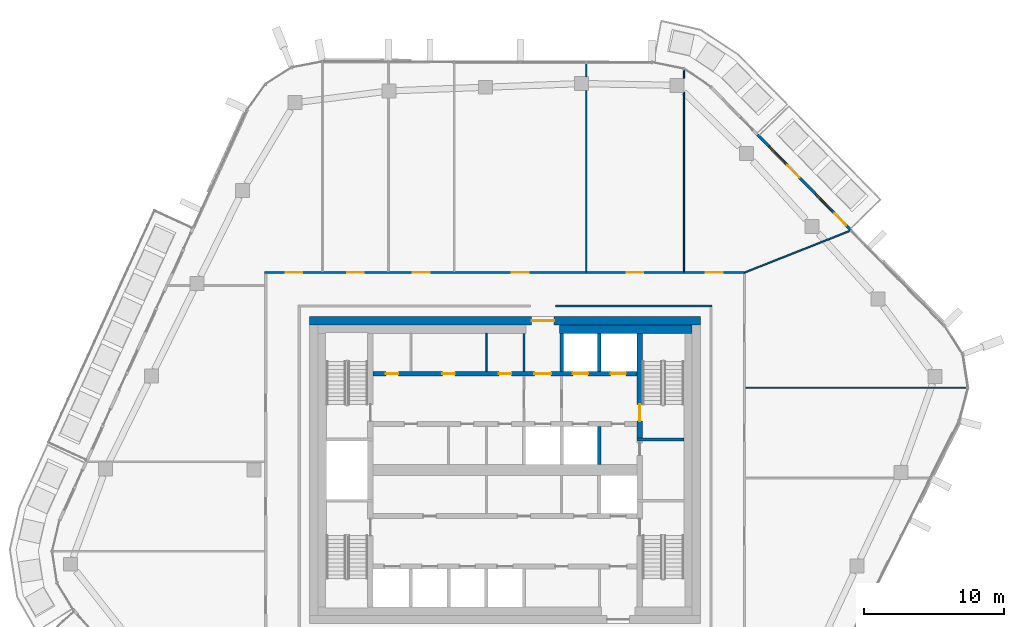
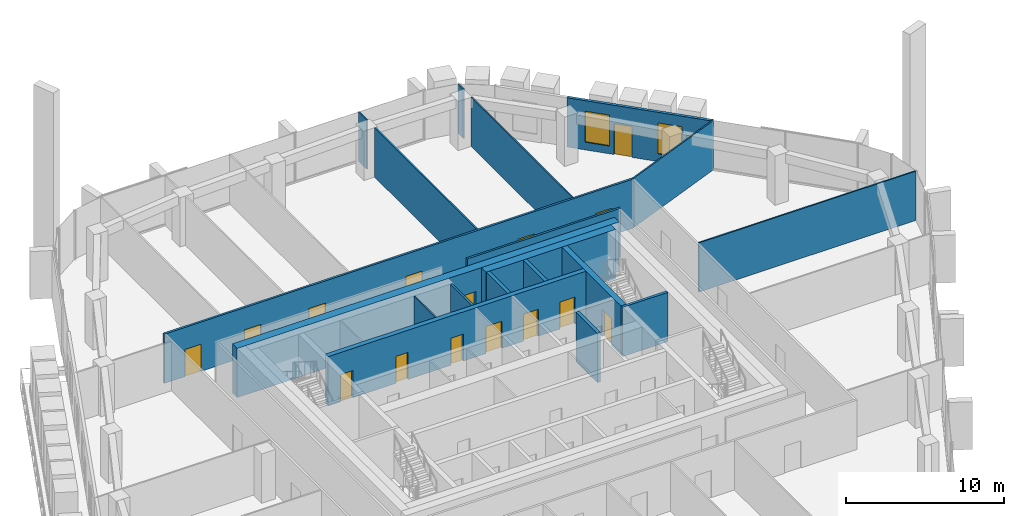
# One storey, part 16 of 24: 19 walls, 16 doors, 2 windows, 18 openings.
"""IFC4 building model written with IfcOpenShell, lengths in metres."""

from ifc_helpers import new_model, si_unit, direction, frame, frame_2d, origin, place, context, subcontext, project, spatial, rectangle, extrude, material, layer, layer_set, type_object, element, fill, save


model = new_model("IFC4")

# Units and contexts
model_context = context("Model", 3, precision=1e-05, world=origin(), true_north=direction((0.0, 1.0)))
body_context = subcontext(model_context, "Body", "Model", "MODEL_VIEW")
ifc_project = project(units=[si_unit("LENGTHUNIT", "METRE"), si_unit("AREAUNIT", "SQUARE_METRE"), si_unit("VOLUMEUNIT", "CUBIC_METRE"), si_unit("PLANEANGLEUNIT", "RADIAN"), si_unit("MASSUNIT", "GRAM", prefix="KILO")], contexts=[model_context])

# Site, building, storey
site_placement = place(None, origin())
site = spatial("IfcSite", under=ifc_project, at=site_placement, CompositionType="ELEMENT")
building_placement = place(site_placement, origin())
building = spatial("IfcBuilding", under=site, at=building_placement, Name="Dongbaek Canopy Tower", CompositionType="ELEMENT")
storey_placement = place(building_placement, frame((0.0, 0.0, 306.800048828125)))
storey = spatial("IfcBuildingStorey", under=building, at=storey_placement, Name="L65", CompositionType="ELEMENT", Elevation=306.800048828125)

# Wall, openings, doors
ifc_material_1 = material(Name="Concrete C60/75", Category="concrete")
ifc_layer_1 = layer(ifc_material_1, 0.35009765625)
ifc_layer_set_1 = layer_set([ifc_layer_1], Name="Core lobby wall 350 Concrete C60/75")
wall_type_1 = type_object("IfcWallType", Name="Core lobby wall 350 Concrete C60/75", PredefinedType="SHEAR", material=ifc_layer_set_1)
wall_1_placement = place(storey_placement, frame((-9.449951171875, 6.89990234375, 0.0), z_axis=(0.0, 0.0, 1.0), x_axis=(1.0, 0.0, 0.0)))
wall_1 = element("IfcWall", 1, at=wall_1_placement, inside=storey, type_object=wall_type_1, Name="Core wall", PredefinedType="SHEAR", context=body_context, shape_type="SweptSolid", body=[
    extrude(rectangle(XDim=18.89990234375, YDim=0.35009765625, at=frame_2d((9.449951171875, 0.0))), origin(), (0.0, 0.0, 1.0), 3.820068359375),
])
opening_1_placement = place(wall_1_placement, frame((11.550048828125, 0.0, 0.0)))
opening_1 = element("IfcOpeningElement", 2, at=opening_1_placement, cuts=wall_1, Name="Opening L65-D021", PredefinedType="OPENING", context=body_context, shape_type="SweptSolid", body=[
    extrude(rectangle(XDim=1.199951171875, YDim=2.10009765625, at=frame_2d((0.60009765625, 1.050048828125))), frame((0.0, 0.18505859375, 0.0), z_axis=(0.0, -1.0, 0.0), x_axis=(1.0, 0.0, 0.0)), (0.0, 0.0, 1.0), 0.3701171875),
])
opening_2_placement = place(wall_1_placement, frame((14.300048828125, 0.0, 0.0)))
opening_2 = element("IfcOpeningElement", 3, at=opening_2_placement, cuts=wall_1, Name="Opening L65-D022", PredefinedType="OPENING", context=body_context, shape_type="SweptSolid", body=[
    extrude(rectangle(XDim=1.10009765625, YDim=2.10009765625, at=frame_2d((0.550048828125, 1.050048828125))), frame((0.0, 0.18505859375, 0.0), z_axis=(0.0, -1.0, 0.0), x_axis=(1.0, 0.0, 0.0)), (0.0, 0.0, 1.0), 0.3701171875),
])
opening_3_placement = place(wall_1_placement, frame((17.0, 0.0, 0.0)))
opening_3 = element("IfcOpeningElement", 4, at=opening_3_placement, cuts=wall_1, Name="Opening L65-D023", PredefinedType="OPENING", context=body_context, shape_type="SweptSolid", body=[
    extrude(rectangle(XDim=1.10009765625, YDim=2.10009765625, at=frame_2d((0.550048828125, 1.050048828125))), frame((0.0, 0.18505859375, 0.0), z_axis=(0.0, -1.0, 0.0), x_axis=(1.0, 0.0, 0.0)), (0.0, 0.0, 1.0), 0.3701171875),
])
opening_4_placement = place(wall_1_placement, frame((0.89990234375, 0.0, 0.0)))
opening_4 = element("IfcOpeningElement", 5, at=opening_4_placement, cuts=wall_1, Name="Opening L65-D034", PredefinedType="OPENING", context=body_context, shape_type="SweptSolid", body=[
    extrude(rectangle(XDim=0.89990234375, YDim=2.10009765625, at=frame_2d((0.449951171875, 1.050048828125))), frame((0.0, 0.18505859375, 0.0), z_axis=(0.0, -1.0, 0.0), x_axis=(1.0, 0.0, 0.0)), (0.0, 0.0, 1.0), 0.3701171875),
])
opening_5_placement = place(wall_1_placement, frame((4.949951171875, 0.0, 0.0)))
opening_5 = element("IfcOpeningElement", 6, at=opening_5_placement, cuts=wall_1, Name="Opening L65-D035", PredefinedType="OPENING", context=body_context, shape_type="SweptSolid", body=[
    extrude(rectangle(XDim=0.89990234375, YDim=2.10009765625, at=frame_2d((0.449951171875, 1.050048828125))), frame((0.0, 0.18505859375, 0.0), z_axis=(0.0, -1.0, 0.0), x_axis=(1.0, 0.0, 0.0)), (0.0, 0.0, 1.0), 0.3701171875),
])
opening_6_placement = place(wall_1_placement, frame((9.0, 0.0, 0.0)))
opening_6 = element("IfcOpeningElement", 7, at=opening_6_placement, cuts=wall_1, Name="Opening L65-D036", PredefinedType="OPENING", context=body_context, shape_type="SweptSolid", body=[
    extrude(rectangle(XDim=0.89990234375, YDim=2.10009765625, at=frame_2d((0.449951171875, 1.050048828125))), frame((0.0, 0.18505859375, 0.0), z_axis=(0.0, -1.0, 0.0), x_axis=(1.0, 0.0, 0.0)), (0.0, 0.0, 1.0), 0.3701171875),
])
ifc_material_2 = material(Name="Steel", Category="steel")
door_type_1 = type_object("IfcDoorType", Name="Core room door 900 x 2100", OperationType="SINGLE_SWING_LEFT", PredefinedType="DOOR", material=ifc_material_2)
door_1_placement = place(opening_4_placement, origin())
door_1 = element("IfcDoor", 8, at=door_1_placement, inside=storey, type_object=door_type_1, Name="Door L65-D034", OperationType="SINGLE_SWING_RIGHT", OverallHeight=2.10009765625, OverallWidth=0.89990234375, PredefinedType="DOOR", context=body_context, shape_type="SweptSolid", body=[
    extrude(rectangle(XDim=0.89990234375, YDim=2.10009765625, at=frame_2d((0.449951171875, 1.050048828125))), frame((0.0, 0.02490234375, 0.0), z_axis=(0.0, -1.0, 0.0), x_axis=(1.0, 0.0, 0.0)), (0.0, 0.0, 1.0), 0.050048828125),
])
fill(opening_4, door_1)
door_2_placement = place(opening_5_placement, origin())
door_2 = element("IfcDoor", 9, at=door_2_placement, inside=storey, type_object=door_type_1, Name="Door L65-D035", OperationType="SINGLE_SWING_LEFT", OverallHeight=2.10009765625, OverallWidth=0.89990234375, PredefinedType="DOOR", context=body_context, shape_type="SweptSolid", body=[
    extrude(rectangle(XDim=0.89990234375, YDim=2.10009765625, at=frame_2d((0.449951171875, 1.050048828125))), frame((0.0, 0.02490234375, 0.0), z_axis=(0.0, -1.0, 0.0), x_axis=(1.0, 0.0, 0.0)), (0.0, 0.0, 1.0), 0.050048828125),
])
fill(opening_5, door_2)
door_3_placement = place(opening_6_placement, origin())
door_3 = element("IfcDoor", 10, at=door_3_placement, inside=storey, type_object=door_type_1, Name="Door L65-D036", OperationType="SINGLE_SWING_RIGHT", OverallHeight=2.10009765625, OverallWidth=0.89990234375, PredefinedType="DOOR", context=body_context, shape_type="SweptSolid", body=[
    extrude(rectangle(XDim=0.89990234375, YDim=2.10009765625, at=frame_2d((0.449951171875, 1.050048828125))), frame((0.0, 0.02490234375, 0.0), z_axis=(0.0, -1.0, 0.0), x_axis=(1.0, 0.0, 0.0)), (0.0, 0.0, 1.0), 0.050048828125),
])
fill(opening_6, door_3)
ifc_material_3 = material(Name="Steel", Category="steel")
door_type_2 = type_object("IfcDoorType", Name="Fire lobby door 1200 x 2100", OperationType="SINGLE_SWING_LEFT", PredefinedType="DOOR", material=ifc_material_3)
door_4_placement = place(opening_1_placement, origin())
door_4 = element("IfcDoor", 11, at=door_4_placement, inside=storey, type_object=door_type_2, Name="Door L65-D021", OperationType="SINGLE_SWING_LEFT", OverallHeight=2.10009765625, OverallWidth=1.199951171875, PredefinedType="DOOR", context=body_context, shape_type="SweptSolid", body=[
    extrude(rectangle(XDim=1.199951171875, YDim=2.10009765625, at=frame_2d((0.60009765625, 1.050048828125))), frame((0.0, 0.02490234375, 0.0), z_axis=(0.0, -1.0, 0.0), x_axis=(1.0, 0.0, 0.0)), (0.0, 0.0, 1.0), 0.050048828125),
])
fill(opening_1, door_4)
ifc_material_4 = material(Name="Stainless steel", Category="steel")
door_type_3 = type_object("IfcDoorType", Name="Lift landing door 1100 x 2100", OperationType="DOUBLE_DOOR_SLIDING", PredefinedType="DOOR", material=ifc_material_4)
door_5_placement = place(opening_2_placement, origin())
door_5 = element("IfcDoor", 12, at=door_5_placement, inside=storey, type_object=door_type_3, Name="Landing door FF1", OperationType="DOUBLE_DOOR_SLIDING", OverallHeight=2.10009765625, OverallWidth=1.10009765625, PredefinedType="DOOR", context=body_context, shape_type="SweptSolid", body=[
    extrude(rectangle(XDim=1.10009765625, YDim=2.10009765625, at=frame_2d((0.550048828125, 1.050048828125))), frame((0.0, 0.02490234375, 0.0), z_axis=(0.0, -1.0, 0.0), x_axis=(1.0, 0.0, 0.0)), (0.0, 0.0, 1.0), 0.050048828125),
])
fill(opening_2, door_5)
door_6_placement = place(opening_3_placement, origin())
door_6 = element("IfcDoor", 13, at=door_6_placement, inside=storey, type_object=door_type_3, Name="Landing door FF2", OperationType="DOUBLE_DOOR_SLIDING", OverallHeight=2.10009765625, OverallWidth=1.10009765625, PredefinedType="DOOR", context=body_context, shape_type="SweptSolid", body=[
    extrude(rectangle(XDim=1.10009765625, YDim=2.10009765625, at=frame_2d((0.550048828125, 1.050048828125))), frame((0.0, 0.02490234375, 0.0), z_axis=(0.0, -1.0, 0.0), x_axis=(1.0, 0.0, 0.0)), (0.0, 0.0, 1.0), 0.050048828125),
])
fill(opening_3, door_6)

# Wall, opening, door
ifc_material_5 = material(Name="Concrete C80/95", Category="concrete")
ifc_layer_2 = layer(ifc_material_5, 0.60009765625)
ifc_layer_set_2 = layer_set([ifc_layer_2], Name="Core outer wall 600 Concrete C80/95")
wall_type_2 = type_object("IfcWallType", Name="Core outer wall 600 Concrete C80/95", PredefinedType="SHEAR", material=ifc_layer_set_2)
wall_2_placement = place(storey_placement, frame((-14.0, 10.699951171875, 0.0), z_axis=(0.0, 0.0, 1.0), x_axis=(1.0, 0.0, 0.0)))
wall_2 = element("IfcWall", 14, at=wall_2_placement, inside=storey, type_object=wall_type_2, Name="Core wall", PredefinedType="SHEAR", context=body_context, shape_type="SweptSolid", body=[
    extrude(rectangle(XDim=28.0, YDim=0.60009765625, at=frame_2d((14.0, 0.0))), origin(), (0.0, 0.0, 1.0), 3.820068359375),
])
opening_7_placement = place(wall_2_placement, frame((15.89990234375, 0.0, 0.0)))
opening_7 = element("IfcOpeningElement", 15, at=opening_7_placement, cuts=wall_2, Name="Opening L65-D020", PredefinedType="OPENING", context=body_context, shape_type="SweptSolid", body=[
    extrude(rectangle(XDim=1.60009765625, YDim=2.10009765625, at=frame_2d((0.800048828125, 1.050048828125))), frame((0.0, 0.31005859375, 0.0), z_axis=(0.0, -1.0, 0.0), x_axis=(1.0, 0.0, 0.0)), (0.0, 0.0, 1.0), 0.6201171875),
])
ifc_material_6 = material(Name="Steel", Category="steel")
door_type_4 = type_object("IfcDoorType", Name="Core exit door 1600 x 2100", OperationType="DOUBLE_DOOR_SINGLE_SWING", PredefinedType="DOOR", material=ifc_material_6)
door_7_placement = place(opening_7_placement, origin())
door_7 = element("IfcDoor", 16, at=door_7_placement, inside=storey, type_object=door_type_4, Name="Core exit door", OperationType="DOUBLE_DOOR_SINGLE_SWING", OverallHeight=2.10009765625, OverallWidth=1.60009765625, PredefinedType="DOOR", context=body_context, shape_type="SweptSolid", body=[
    extrude(rectangle(XDim=1.60009765625, YDim=2.10009765625, at=frame_2d((0.800048828125, 1.050048828125))), frame((0.0, 0.02490234375, 0.0), z_axis=(0.0, -1.0, 0.0), x_axis=(1.0, 0.0, 0.0)), (0.0, 0.0, 1.0), 0.050048828125),
])
fill(opening_7, door_7)

# Walls
ifc_material_7 = material(Name="Concrete C60/75", Category="concrete")
ifc_layer_3 = layer(ifc_material_7, 0.60009765625)
ifc_layer_set_3 = layer_set([ifc_layer_3], Name="Core wall lining 600 Concrete C60/75")
wall_type_3 = type_object("IfcWallType", Name="Core wall lining 600 Concrete C60/75", PredefinedType="SHEAR", material=ifc_layer_set_3)
wall_3_placement = place(storey_placement, frame((3.89990234375, 10.10009765625, 0.0), z_axis=(0.0, 0.0, 1.0), x_axis=(1.0, 0.0, 0.0)))
element("IfcWall", 17, at=wall_3_placement, inside=storey, type_object=wall_type_3, Name="Core wall lining", PredefinedType="SHEAR", context=body_context, shape_type="SweptSolid", body=[
    extrude(rectangle(XDim=9.5, YDim=0.60009765625, at=frame_2d((4.75, 0.0))), origin(), (0.0, 0.0, 1.0), 3.820068359375),
])
ifc_material_8 = material(Name="Gypsum board partition, steel stud, 2 x 15 mm fire board", Category="steel")
ifc_layer_4 = layer(ifc_material_8, 0.14990234375)
ifc_layer_set_4 = layer_set([ifc_layer_4], Name="Fire-rated partition 150 gypsum board")
wall_type_4 = type_object("IfcWallType", Name="Fire-rated partition 150 gypsum board", PredefinedType="PARTITIONING", material=ifc_layer_set_4)
wall_4_placement = place(storey_placement, frame((3.60009765625, 11.75, 0.0), z_axis=(0.0, 0.0, 1.0), x_axis=(1.0, 0.0, 0.0)))
element("IfcWall", 18, at=wall_4_placement, inside=storey, type_object=wall_type_4, Name="Corridor partition", PredefinedType="PARTITIONING", context=body_context, shape_type="SweptSolid", body=[
    extrude(rectangle(XDim=11.224853515625, YDim=0.14990234375, at=frame_2d((5.6123046875, 0.0))), origin(), (0.0, 0.0, 1.0), 3.820068359375),
])

# Wall, openings, doors
wall_5_placement = place(storey_placement, frame((-17.22509765625, 14.14990234375, 0.0), z_axis=(0.0, 0.0, 1.0), x_axis=(1.0, 0.0, 0.0)))
wall_5 = element("IfcWall", 19, at=wall_5_placement, inside=storey, type_object=wall_type_4, Name="Corridor partition", PredefinedType="PARTITIONING", context=body_context, shape_type="SweptSolid", body=[
    extrude(rectangle(XDim=34.4501953125, YDim=0.14990234375, at=frame_2d((17.22509765625, 0.0))), origin(), (0.0, 0.0, 1.0), 3.820068359375),
])
opening_8_placement = place(wall_5_placement, frame((31.60693359375, 0.0, 0.0)))
opening_8 = element("IfcOpeningElement", 20, at=opening_8_placement, cuts=wall_5, Name="Opening L65-D012", PredefinedType="OPENING", context=body_context, shape_type="SweptSolid", body=[
    extrude(rectangle(XDim=1.199951171875, YDim=2.10009765625, at=frame_2d((0.60009765625, 1.050048828125))), frame((0.0, 0.0849609375, 0.0), z_axis=(0.0, -1.0, 0.0), x_axis=(1.0, 0.0, 0.0)), (0.0, 0.0, 1.0), 0.169921875),
])
opening_9_placement = place(wall_5_placement, frame((25.935791015625, 0.0, 0.0)))
opening_9 = element("IfcOpeningElement", 21, at=opening_9_placement, cuts=wall_5, Name="Opening L65-D013", PredefinedType="OPENING", context=body_context, shape_type="SweptSolid", body=[
    extrude(rectangle(XDim=1.199951171875, YDim=2.10009765625, at=frame_2d((0.60009765625, 1.050048828125))), frame((0.0, 0.0849609375, 0.0), z_axis=(0.0, -1.0, 0.0), x_axis=(1.0, 0.0, 0.0)), (0.0, 0.0, 1.0), 0.169921875),
])
opening_10_placement = place(wall_5_placement, frame((17.70654296875, 0.0, 0.0)))
opening_10 = element("IfcOpeningElement", 22, at=opening_10_placement, cuts=wall_5, Name="Opening L65-D014", PredefinedType="OPENING", context=body_context, shape_type="SweptSolid", body=[
    extrude(rectangle(XDim=1.199951171875, YDim=2.10009765625, at=frame_2d((0.60009765625, 1.050048828125))), frame((0.0, 0.0849609375, 0.0), z_axis=(0.0, -1.0, 0.0), x_axis=(1.0, 0.0, 0.0)), (0.0, 0.0, 1.0), 0.169921875),
])
opening_11_placement = place(wall_5_placement, frame((10.6171875, 0.0, 0.0)))
opening_11 = element("IfcOpeningElement", 23, at=opening_11_placement, cuts=wall_5, Name="Opening L65-D015", PredefinedType="OPENING", context=body_context, shape_type="SweptSolid", body=[
    extrude(rectangle(XDim=1.199951171875, YDim=2.10009765625, at=frame_2d((0.60009765625, 1.050048828125))), frame((0.0, 0.0849609375, 0.0), z_axis=(0.0, -1.0, 0.0), x_axis=(1.0, 0.0, 0.0)), (0.0, 0.0, 1.0), 0.169921875),
])
opening_12_placement = place(wall_5_placement, frame((5.89599609375, 0.0, 0.0)))
opening_12 = element("IfcOpeningElement", 24, at=opening_12_placement, cuts=wall_5, Name="Opening L65-D016", PredefinedType="OPENING", context=body_context, shape_type="SweptSolid", body=[
    extrude(rectangle(XDim=1.199951171875, YDim=2.10009765625, at=frame_2d((0.60009765625, 1.050048828125))), frame((0.0, 0.0849609375, 0.0), z_axis=(0.0, -1.0, 0.0), x_axis=(1.0, 0.0, 0.0)), (0.0, 0.0, 1.0), 0.169921875),
])
opening_13_placement = place(wall_5_placement, frame((1.50634765625, 0.0, 0.0)))
opening_13 = element("IfcOpeningElement", 25, at=opening_13_placement, cuts=wall_5, Name="Opening L65-D017", PredefinedType="OPENING", context=body_context, shape_type="SweptSolid", body=[
    extrude(rectangle(XDim=1.199951171875, YDim=2.10009765625, at=frame_2d((0.60009765625, 1.050048828125))), frame((0.0, 0.0849609375, 0.0), z_axis=(0.0, -1.0, 0.0), x_axis=(1.0, 0.0, 0.0)), (0.0, 0.0, 1.0), 0.169921875),
])
ifc_material_9 = material(Name="Timber veneered door leaf", Category="wood")
door_type_5 = type_object("IfcDoorType", Name="Room door 1200 x 2100", OperationType="SINGLE_SWING_LEFT", PredefinedType="DOOR", material=ifc_material_9)
door_8_placement = place(opening_8_placement, origin())
door_8 = element("IfcDoor", 26, at=door_8_placement, inside=storey, type_object=door_type_5, Name="Door L65-D012", OperationType="SINGLE_SWING_LEFT", OverallHeight=2.10009765625, OverallWidth=1.199951171875, PredefinedType="DOOR", context=body_context, shape_type="SweptSolid", body=[
    extrude(rectangle(XDim=1.199951171875, YDim=2.10009765625, at=frame_2d((0.60009765625, 1.050048828125))), frame((0.0, 0.02490234375, 0.0), z_axis=(0.0, -1.0, 0.0), x_axis=(1.0, 0.0, 0.0)), (0.0, 0.0, 1.0), 0.050048828125),
])
fill(opening_8, door_8)
door_9_placement = place(opening_9_placement, origin())
door_9 = element("IfcDoor", 27, at=door_9_placement, inside=storey, type_object=door_type_5, Name="Door L65-D013", OperationType="SINGLE_SWING_RIGHT", OverallHeight=2.10009765625, OverallWidth=1.199951171875, PredefinedType="DOOR", context=body_context, shape_type="SweptSolid", body=[
    extrude(rectangle(XDim=1.199951171875, YDim=2.10009765625, at=frame_2d((0.60009765625, 1.050048828125))), frame((0.0, 0.02490234375, 0.0), z_axis=(0.0, -1.0, 0.0), x_axis=(1.0, 0.0, 0.0)), (0.0, 0.0, 1.0), 0.050048828125),
])
fill(opening_9, door_9)
door_10_placement = place(opening_10_placement, origin())
door_10 = element("IfcDoor", 28, at=door_10_placement, inside=storey, type_object=door_type_5, Name="Door L65-D014", OperationType="SINGLE_SWING_LEFT", OverallHeight=2.10009765625, OverallWidth=1.199951171875, PredefinedType="DOOR", context=body_context, shape_type="SweptSolid", body=[
    extrude(rectangle(XDim=1.199951171875, YDim=2.10009765625, at=frame_2d((0.60009765625, 1.050048828125))), frame((0.0, 0.02490234375, 0.0), z_axis=(0.0, -1.0, 0.0), x_axis=(1.0, 0.0, 0.0)), (0.0, 0.0, 1.0), 0.050048828125),
])
fill(opening_10, door_10)
door_11_placement = place(opening_11_placement, origin())
door_11 = element("IfcDoor", 29, at=door_11_placement, inside=storey, type_object=door_type_5, Name="Door L65-D015", OperationType="SINGLE_SWING_RIGHT", OverallHeight=2.10009765625, OverallWidth=1.199951171875, PredefinedType="DOOR", context=body_context, shape_type="SweptSolid", body=[
    extrude(rectangle(XDim=1.199951171875, YDim=2.10009765625, at=frame_2d((0.60009765625, 1.050048828125))), frame((0.0, 0.02490234375, 0.0), z_axis=(0.0, -1.0, 0.0), x_axis=(1.0, 0.0, 0.0)), (0.0, 0.0, 1.0), 0.050048828125),
])
fill(opening_11, door_11)
door_12_placement = place(opening_12_placement, origin())
door_12 = element("IfcDoor", 30, at=door_12_placement, inside=storey, type_object=door_type_5, Name="Door L65-D016", OperationType="SINGLE_SWING_LEFT", OverallHeight=2.10009765625, OverallWidth=1.199951171875, PredefinedType="DOOR", context=body_context, shape_type="SweptSolid", body=[
    extrude(rectangle(XDim=1.199951171875, YDim=2.10009765625, at=frame_2d((0.60009765625, 1.050048828125))), frame((0.0, 0.02490234375, 0.0), z_axis=(0.0, -1.0, 0.0), x_axis=(1.0, 0.0, 0.0)), (0.0, 0.0, 1.0), 0.050048828125),
])
fill(opening_12, door_12)
door_13_placement = place(opening_13_placement, origin())
door_13 = element("IfcDoor", 31, at=door_13_placement, inside=storey, type_object=door_type_5, Name="Door L65-D017", OperationType="SINGLE_SWING_RIGHT", OverallHeight=2.10009765625, OverallWidth=1.199951171875, PredefinedType="DOOR", context=body_context, shape_type="SweptSolid", body=[
    extrude(rectangle(XDim=1.199951171875, YDim=2.10009765625, at=frame_2d((0.60009765625, 1.050048828125))), frame((0.0, 0.02490234375, 0.0), z_axis=(0.0, -1.0, 0.0), x_axis=(1.0, 0.0, 0.0)), (0.0, 0.0, 1.0), 0.050048828125),
])
fill(opening_13, door_13)

# Walls
wall_6_placement = place(storey_placement, frame((1.35009765625, 7.074951171875, 0.0), z_axis=(0.0, 0.0, 1.0), x_axis=(0.0, 1.0, 0.0)))
element("IfcWall", 32, at=wall_6_placement, inside=storey, type_object=wall_type_4, Name="Fire lobby partition", PredefinedType="PARTITIONING", context=body_context, shape_type="SweptSolid", body=[
    extrude(rectangle(XDim=2.72509765625, YDim=0.14990234375, at=frame_2d((1.362548828125, 0.0))), origin(), (0.0, 0.0, 1.0), 3.820068359375),
])
ifc_material_10 = material(Name="Concrete C40/50", Category="concrete")
ifc_layer_5 = layer(ifc_material_10, 0.25)
ifc_layer_set_5 = layer_set([ifc_layer_5], Name="Lift shaft wall 250 Concrete C40/50")
wall_type_5 = type_object("IfcWallType", Name="Lift shaft wall 250 Concrete C40/50", PredefinedType="SOLIDWALL", material=ifc_layer_set_5)
for number, where, z_axis, x_axis, name in (
    (33, (6.75, 0.39990234375, 0.0), (0.0, 0.0, 1.0), (0.0, 1.0, 0.0), "Lift shaft wall"),
    (34, (6.75, 7.074951171875, 0.0), (0.0, 0.0, 1.0), (0.0, 1.0, 0.0), "Lift shaft wall"),
    (35, (4.050048828125, 7.074951171875, 0.0), (0.0, 0.0, 1.0), (0.0, 1.0, 0.0), "Lift shaft wall"),
):
    element("IfcWall", number, at=place(storey_placement, frame(where, z_axis=z_axis, x_axis=x_axis)), inside=storey, type_object=wall_type_5, Name=name, PredefinedType="SOLIDWALL", context=body_context, shape_type="SweptSolid", body=[
        extrude(rectangle(XDim=2.72509765625, YDim=0.25, at=frame_2d((1.362548828125, 0.0))), origin(), (0.0, 0.0, 1.0), 3.820068359375),
    ])
ifc_material_11 = material(Name="Gypsum board partition, steel stud, 2 x 12.5 mm board", Category="steel")
ifc_layer_6 = layer(ifc_material_11, 0.10009765625)
ifc_layer_set_6 = layer_set([ifc_layer_6], Name="Partition 100 gypsum board")
wall_type_6 = type_object("IfcWallType", Name="Partition 100 gypsum board", PredefinedType="PARTITIONING", material=ifc_layer_set_6)
wall_7_placement = place(storey_placement, frame((17.22509765625, 5.90087890625, 0.0), z_axis=(0.0, 0.0, 1.0), x_axis=(1.0, 0.0, 0.0)))
element("IfcWall", 36, at=wall_7_placement, inside=storey, type_object=wall_type_6, Name="Partition", PredefinedType="PARTITIONING", context=body_context, shape_type="SweptSolid", body=[
    extrude(rectangle(XDim=15.905029296875, YDim=0.10009765625, at=frame_2d((7.95263671875, 0.0))), origin(), (0.0, 0.0, 1.0), 3.820068359375),
])
wall_8_placement = place(storey_placement, frame((17.14990234375, 14.150146484375, 0.0), z_axis=(0.0, 0.0, 1.0), x_axis=(0.92958283513, 0.368613283308, 0.0)))
element("IfcWall", 37, at=wall_8_placement, inside=storey, type_object=wall_type_6, Name="Partition", PredefinedType="PARTITIONING", context=body_context, shape_type="SweptSolid", body=[
    extrude(rectangle(XDim=8.18896484375, YDim=0.10009765625, at=frame_2d((4.094482421875, 0.0))), origin(), (0.0, 0.0, 1.0), 3.820068359375),
])
wall_9_placement = place(storey_placement, frame((12.81396484375, 14.22509765625, 0.0), z_axis=(0.0, 0.0, 1.0), x_axis=(0.0, 1.0, 0.0)))
element("IfcWall", 38, at=wall_9_placement, inside=storey, type_object=wall_type_6, Name="Partition", PredefinedType="PARTITIONING", context=body_context, shape_type="SweptSolid", body=[
    extrude(rectangle(XDim=12.837890625, YDim=0.10009765625, at=frame_2d((6.4189453125, 0.0))), origin(), (0.0, 0.0, 1.0), 3.820068359375),
])
wall_10_placement = place(storey_placement, frame((12.81396484375, 28.06298828125, 0.0), z_axis=(0.0, 0.0, 1.0), x_axis=(0.0, 1.0, 0.0)))
element("IfcWall", 39, at=wall_10_placement, inside=storey, type_object=wall_type_6, Name="Partition", PredefinedType="PARTITIONING", context=body_context, shape_type="SweptSolid", body=[
    extrude(rectangle(XDim=0.66357421875, YDim=0.10009765625, at=frame_2d((0.331787109375, 0.0))), origin(), (0.0, 0.0, 1.0), 3.820068359375),
])
wall_11_placement = place(storey_placement, frame((5.80810546875, 14.22509765625, 0.0), z_axis=(0.0, 0.0, 1.0), x_axis=(0.0, 1.0, 0.0)))
element("IfcWall", 40, at=wall_11_placement, inside=storey, type_object=wall_type_6, Name="Partition", PredefinedType="PARTITIONING", context=body_context, shape_type="SweptSolid", body=[
    extrude(rectangle(XDim=12.966796875, YDim=0.10009765625, at=frame_2d((6.4833984375, 0.0))), origin(), (0.0, 0.0, 1.0), 3.820068359375),
])
wall_12_placement = place(storey_placement, frame((5.80810546875, 28.19189453125, 0.0), z_axis=(0.0, 0.0, 1.0), x_axis=(0.0, 1.0, 0.0)))
element("IfcWall", 41, at=wall_12_placement, inside=storey, type_object=wall_type_6, Name="Partition", PredefinedType="PARTITIONING", context=body_context, shape_type="SweptSolid", body=[
    extrude(rectangle(XDim=1.014892578125, YDim=0.10009765625, at=frame_2d((0.50732421875, 0.0))), origin(), (0.0, 0.0, 1.0), 3.820068359375),
])
wall_13_placement = place(storey_placement, frame((-1.35009765625, 7.074951171875, 0.0), z_axis=(0.0, 0.0, 1.0), x_axis=(0.0, 1.0, 0.0)))
element("IfcWall", 42, at=wall_13_placement, inside=storey, type_object=wall_type_6, Name="Core partition", PredefinedType="PARTITIONING", context=body_context, shape_type="SweptSolid", body=[
    extrude(rectangle(XDim=2.72509765625, YDim=0.10009765625, at=frame_2d((1.362548828125, 0.0))), origin(), (0.0, 0.0, 1.0), 3.820068359375),
])
ifc_material_12 = material(Name="Concrete C60/75", Category="concrete")
ifc_layer_7 = layer(ifc_material_12, 0.199951171875)
ifc_layer_set_7 = layer_set([ifc_layer_7], Name="Riser wall 200 Concrete C60/75")
wall_type_7 = type_object("IfcWallType", Name="Riser wall 200 Concrete C60/75", PredefinedType="SHEAR", material=ifc_layer_set_7)
wall_14_placement = place(storey_placement, frame((9.449951171875, 2.199951171875, 0.0), z_axis=(0.0, 0.0, 1.0), x_axis=(1.0, 0.0, 0.0)))
element("IfcWall", 43, at=wall_14_placement, inside=storey, type_object=wall_type_7, Name="Riser wall", PredefinedType="SHEAR", context=body_context, shape_type="SweptSolid", body=[
    extrude(rectangle(XDim=3.35009765625, YDim=0.199951171875, at=frame_2d((1.675048828125, 0.0))), origin(), (0.0, 0.0, 1.0), 3.820068359375),
])

# Wall, opening, door
ifc_material_13 = material(Name="Concrete C60/75", Category="concrete")
ifc_layer_8 = layer(ifc_material_13, 0.39990234375)
ifc_layer_set_8 = layer_set([ifc_layer_8], Name="Stair wall 400 Concrete C60/75")
wall_type_8 = type_object("IfcWallType", Name="Stair wall 400 Concrete C60/75", PredefinedType="SHEAR", material=ifc_layer_set_8)
wall_15_placement = place(storey_placement, frame((9.64990234375, 9.800048828125, 0.0), z_axis=(0.0, 0.0, 1.0), x_axis=(0.0, -1.0, 0.0)))
wall_15 = element("IfcWall", 44, at=wall_15_placement, inside=storey, type_object=wall_type_8, Name="Stair wall", PredefinedType="SHEAR", context=body_context, shape_type="SweptSolid", body=[
    extrude(rectangle(XDim=7.5, YDim=0.39990234375, at=frame_2d((3.75, 0.0))), origin(), (0.0, 0.0, 1.0), 3.820068359375),
])
opening_14_placement = place(wall_15_placement, frame((5.10009765625, 0.0, 0.0)))
opening_14 = element("IfcOpeningElement", 45, at=opening_14_placement, cuts=wall_15, Name="Opening L65-D044", PredefinedType="OPENING", context=body_context, shape_type="SweptSolid", body=[
    extrude(rectangle(XDim=1.199951171875, YDim=2.10009765625, at=frame_2d((0.60009765625, 1.050048828125))), frame((0.0, 0.2099609375, 0.0), z_axis=(0.0, -1.0, 0.0), x_axis=(1.0, 0.0, 0.0)), (0.0, 0.0, 1.0), 0.419921875),
])
ifc_material_14 = material(Name="Steel", Category="steel")
door_type_6 = type_object("IfcDoorType", Name="Stair door 1200 x 2100", OperationType="SINGLE_SWING_LEFT", PredefinedType="DOOR", material=ifc_material_14)
door_14_placement = place(opening_14_placement, origin())
door_14 = element("IfcDoor", 46, at=door_14_placement, inside=storey, type_object=door_type_6, Name="Stair A door", OperationType="SINGLE_SWING_LEFT", OverallHeight=2.10009765625, OverallWidth=1.199951171875, PredefinedType="DOOR", context=body_context, shape_type="SweptSolid", body=[
    extrude(rectangle(XDim=1.199951171875, YDim=2.10009765625, at=frame_2d((0.60009765625, 1.050048828125))), frame((0.0, 0.02490234375, 0.0), z_axis=(0.0, -1.0, 0.0), x_axis=(1.0, 0.0, 0.0)), (0.0, 0.0, 1.0), 0.050048828125),
])
fill(opening_14, door_14)

# Wall, openings, doors, windows
ifc_material_15 = material(Name="Aluminium window wall", Category="aluminium")
ifc_layer_9 = layer(ifc_material_15, 0.199951171875)
ifc_layer_set_9 = layer_set([ifc_layer_9], Name="Window wall 200")
wall_type_9 = type_object("IfcWallType", Name="Window wall 200", PredefinedType="SOLIDWALL", material=ifc_layer_set_9)
wall_16_placement = place(storey_placement, frame((24.7822265625, 17.17724609375, 0.0), z_axis=(0.0, 0.0, 1.0), x_axis=(-0.699351369698, 0.714778050657, 0.0)))
wall_16 = element("IfcWall", 47, at=wall_16_placement, inside=storey, type_object=wall_type_9, Name="Window wall L65 1", PredefinedType="SOLIDWALL", context=body_context, shape_type="SweptSolid", body=[
    extrude(rectangle(XDim=9.57470703125, YDim=0.199951171875, at=frame_2d((4.787353515625, 0.0))), origin(), (0.0, 0.0, 1.0), 3.820068359375),
])
opening_15_placement = place(wall_16_placement, frame((2.0, 0.0, 0.60009765625)))
opening_15 = element("IfcOpeningElement", 48, at=opening_15_placement, cuts=wall_16, Name="Opening W1", PredefinedType="OPENING", context=body_context, shape_type="SweptSolid", body=[
    extrude(rectangle(XDim=1.60009765625, YDim=2.39990234375, at=frame_2d((0.800048828125, 1.199951171875))), frame((0.0, 0.10986328125, 0.0), z_axis=(0.0, -1.0, 0.0), x_axis=(1.0, 0.0, 0.0)), (0.0, 0.0, 1.0), 0.219970703125),
])
opening_16_placement = place(wall_16_placement, frame((0.5, 0.0, 0.0)))
opening_16 = element("IfcOpeningElement", 49, at=opening_16_placement, cuts=wall_16, Name="Opening L65-B01", PredefinedType="OPENING", context=body_context, shape_type="SweptSolid", body=[
    extrude(rectangle(XDim=1.199951171875, YDim=2.39990234375, at=frame_2d((0.60009765625, 1.199951171875))), frame((0.0, 0.10986328125, 0.0), z_axis=(0.0, -1.0, 0.0), x_axis=(1.0, 0.0, 0.0)), (0.0, 0.0, 1.0), 0.219970703125),
])
opening_17_placement = place(wall_16_placement, frame((6.787353515625, 0.0, 0.60009765625)))
opening_17 = element("IfcOpeningElement", 50, at=opening_17_placement, cuts=wall_16, Name="Opening W1", PredefinedType="OPENING", context=body_context, shape_type="SweptSolid", body=[
    extrude(rectangle(XDim=1.60009765625, YDim=2.39990234375, at=frame_2d((0.800048828125, 1.199951171875))), frame((0.0, 0.10986328125, 0.0), z_axis=(0.0, -1.0, 0.0), x_axis=(1.0, 0.0, 0.0)), (0.0, 0.0, 1.0), 0.219970703125),
])
opening_18_placement = place(wall_16_placement, frame((5.287353515625, 0.0, 0.0)))
opening_18 = element("IfcOpeningElement", 51, at=opening_18_placement, cuts=wall_16, Name="Opening L65-B02", PredefinedType="OPENING", context=body_context, shape_type="SweptSolid", body=[
    extrude(rectangle(XDim=1.199951171875, YDim=2.39990234375, at=frame_2d((0.60009765625, 1.199951171875))), frame((0.0, 0.10986328125, 0.0), z_axis=(0.0, -1.0, 0.0), x_axis=(1.0, 0.0, 0.0)), (0.0, 0.0, 1.0), 0.219970703125),
])
ifc_material_16 = material(Name="Clear glazing in aluminium frame", Category="aluminium")
door_type_7 = type_object("IfcDoorType", Name="Balcony door BD1 1200 x 2400", OperationType="SLIDING_TO_LEFT", PredefinedType="DOOR", material=ifc_material_16)
door_15_placement = place(opening_16_placement, origin())
door_15 = element("IfcDoor", 52, at=door_15_placement, inside=storey, type_object=door_type_7, Name="Balcony door L65-B01", OperationType="SLIDING_TO_LEFT", OverallHeight=2.39990234375, OverallWidth=1.199951171875, PredefinedType="DOOR", context=body_context, shape_type="SweptSolid", body=[
    extrude(rectangle(XDim=1.199951171875, YDim=2.39990234375, at=frame_2d((0.60009765625, 1.199951171875))), frame((0.0, 0.02490234375, 0.0), z_axis=(0.0, -1.0, 0.0), x_axis=(1.0, 0.0, 0.0)), (0.0, 0.0, 1.0), 0.050048828125),
])
fill(opening_16, door_15)
door_16_placement = place(opening_18_placement, origin())
door_16 = element("IfcDoor", 53, at=door_16_placement, inside=storey, type_object=door_type_7, Name="Balcony door L65-B02", OperationType="SLIDING_TO_LEFT", OverallHeight=2.39990234375, OverallWidth=1.199951171875, PredefinedType="DOOR", context=body_context, shape_type="SweptSolid", body=[
    extrude(rectangle(XDim=1.199951171875, YDim=2.39990234375, at=frame_2d((0.60009765625, 1.199951171875))), frame((0.0, 0.02490234375, 0.0), z_axis=(0.0, -1.0, 0.0), x_axis=(1.0, 0.0, 0.0)), (0.0, 0.0, 1.0), 0.050048828125),
])
fill(opening_18, door_16)
ifc_material_17 = material(Name="Clear glazing in aluminium frame", Category="aluminium")
window_type = type_object("IfcWindowType", Name="Window W1 1600 x 2400", PartitioningType="SINGLE_PANEL", PredefinedType="WINDOW", material=ifc_material_17)
window_1_placement = place(opening_15_placement, origin())
window_1 = element("IfcWindow", 54, at=window_1_placement, inside=storey, type_object=window_type, Name="Window L65 1.1", OverallHeight=2.39990234375, OverallWidth=1.60009765625, PartitioningType="SINGLE_PANEL", PredefinedType="WINDOW", context=body_context, shape_type="SweptSolid", body=[
    extrude(rectangle(XDim=1.60009765625, YDim=2.39990234375, at=frame_2d((0.800048828125, 1.199951171875))), frame((0.0, 0.030029296875, 0.0), z_axis=(0.0, -1.0, 0.0), x_axis=(1.0, 0.0, 0.0)), (0.0, 0.0, 1.0), 0.06005859375),
])
fill(opening_15, window_1)
window_2_placement = place(opening_17_placement, origin())
window_2 = element("IfcWindow", 55, at=window_2_placement, inside=storey, type_object=window_type, Name="Window L65 1.2", OverallHeight=2.39990234375, OverallWidth=1.60009765625, PartitioningType="SINGLE_PANEL", PredefinedType="WINDOW", context=body_context, shape_type="SweptSolid", body=[
    extrude(rectangle(XDim=1.60009765625, YDim=2.39990234375, at=frame_2d((0.800048828125, 1.199951171875))), frame((0.0, 0.030029296875, 0.0), z_axis=(0.0, -1.0, 0.0), x_axis=(1.0, 0.0, 0.0)), (0.0, 0.0, 1.0), 0.06005859375),
])
fill(opening_17, window_2)

save(model, "model.ifc")
